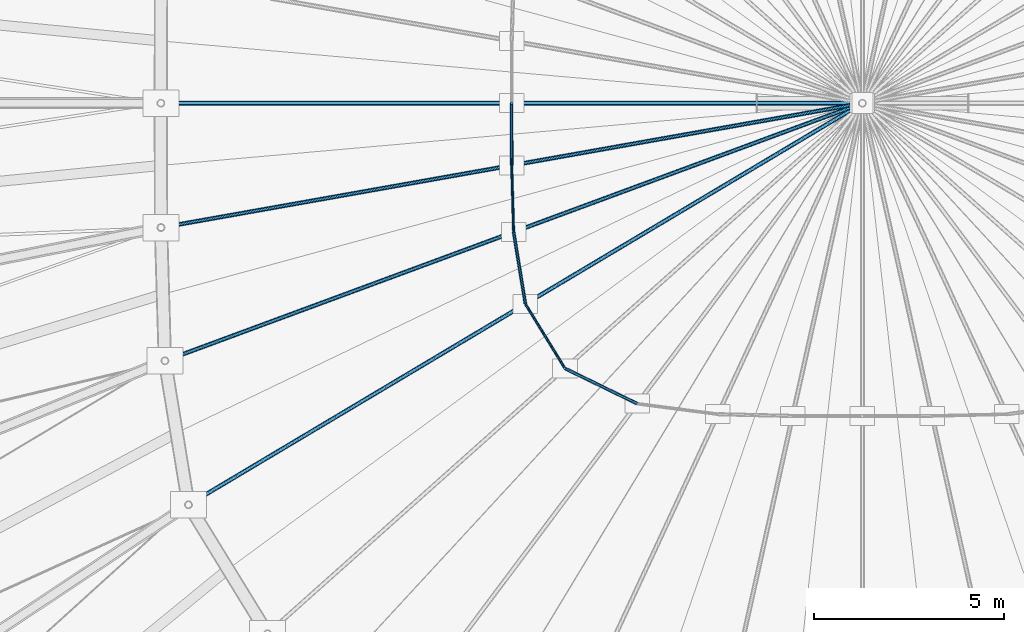
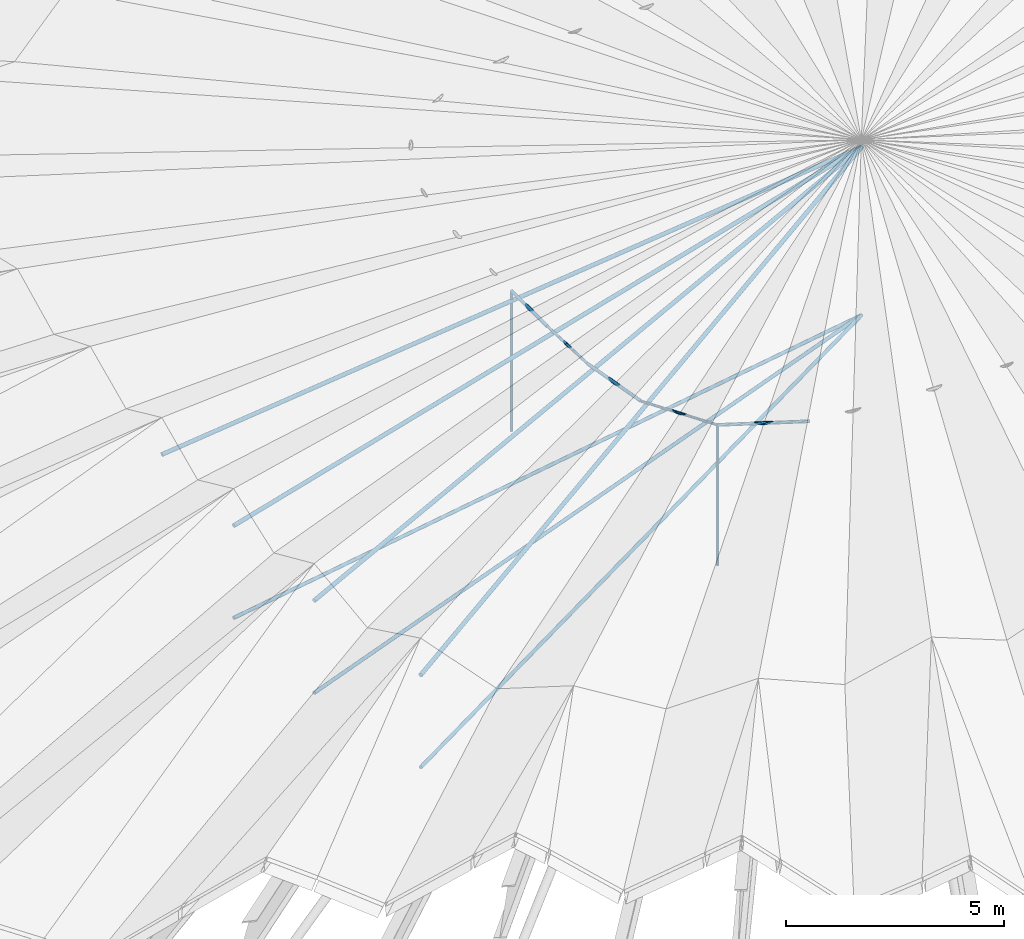
# One storey, part 9 of 41: 14 members.
"""IFC4 building model written with IfcOpenShell, lengths in metres."""

from ifc_helpers import new_model, si_unit, direction, frame, origin, origin_2d, place, context, subcontext, project, spatial, circle, extrude, material, material_profile, profile_set, type_object, element, save


model = new_model("IFC4")

# Units and contexts
model_context = context("Model", 3, precision=1e-05, world=origin(), true_north=direction((0.0, 1.0)))
body_context = subcontext(model_context, "Body", "Model", "MODEL_VIEW")
ifc_project = project(units=[si_unit("LENGTHUNIT", "METRE"), si_unit("AREAUNIT", "SQUARE_METRE"), si_unit("VOLUMEUNIT", "CUBIC_METRE"), si_unit("PLANEANGLEUNIT", "RADIAN"), si_unit("MASSUNIT", "GRAM", prefix="KILO")], contexts=[model_context])

# Site, building, storey
site_placement = place(None, origin())
site = spatial("IfcSite", under=ifc_project, at=site_placement, CompositionType="ELEMENT")
building_placement = place(site_placement, origin())
building = spatial("IfcBuilding", under=site, at=building_placement, Name="Luwafu Chhajja Arena", CompositionType="ELEMENT")
storey_placement = place(building_placement, frame((0.0, 0.0, 29.699951171875)))
storey = spatial("IfcBuildingStorey", under=building, at=storey_placement, Name="RF", CompositionType="ELEMENT", Elevation=29.699951171875)

# Members
ifc_material = material(Name="Steel S460", Category="steel")
ifc_material_profile_1 = material_profile(ifc_material, circle(Radius=0.04248046875, at=origin_2d()), Name="CABLE D85")
ifc_profile_set_1 = profile_set([ifc_material_profile_1], Name="Steel S460")
member_type_1 = type_object("IfcMemberType", Name="Oculus Hoop Tie Cable D85", PredefinedType="USERDEFINED", material=ifc_profile_set_1)
member_1_placement = place(storey_placement, frame((89.75, 49.5, 8.02001953125), z_axis=(0.00148809359, -0.999998892788, 0.0), x_axis=(0.999998892788, 0.00148809359, 0.0)))
element("IfcMember", 1, at=member_1_placement, inside=storey, type_object=member_type_1, Name="Cable net hoop cable CBH-17", ObjectType="CABLE", PredefinedType="USERDEFINED", context=body_context, shape_type="SweptSolid", body=[
    extrude(circle(Radius=0.04248046875, at=origin_2d()), origin(), (0.0, 0.0, 1.0), 1.640625),
])
member_2_placement = place(storey_placement, frame((89.8037109375, 46.1025390625, 8.02001953125), z_axis=(0.161598712618, -0.98685655294, 0.0), x_axis=(0.98685655294, 0.161598712618, 0.0)))
element("IfcMember", 2, at=member_2_placement, inside=storey, type_object=member_type_1, Name="Cable net hoop cable CBH-19", ObjectType="CABLE", PredefinedType="USERDEFINED", context=body_context, shape_type="SweptSolid", body=[
    extrude(circle(Radius=0.04248046875, at=origin_2d()), origin(), (0.0, 0.0, 1.0), 1.92333984375),
])
member_3_placement = place(storey_placement, frame((91.1572265625, 42.505126953125, 8.02001953125), z_axis=(0.89864668968, -0.438673143841, 0.0), x_axis=(0.438673143841, 0.89864668968, 0.0)))
element("IfcMember", 3, at=member_3_placement, inside=storey, type_object=member_type_1, Name="Cable net hoop cable CBH-21", ObjectType="CABLE", PredefinedType="USERDEFINED", context=body_context, shape_type="SweptSolid", body=[
    extrude(circle(Radius=0.04248046875, at=origin_2d()), origin(), (0.0, 0.0, 1.0), 2.120361328125),
])
ifc_material_profile_2 = material_profile(ifc_material, circle(Radius=0.054931640625, at=origin_2d()), Name="CABLE D110")
ifc_profile_set_2 = profile_set([ifc_material_profile_2], Name="Steel S460")
member_type_2 = type_object("IfcMemberType", Name="Oculus Radial Main Cable D110", PredefinedType="USERDEFINED", material=ifc_profile_set_2)
member_4_placement = place(storey_placement, frame((80.5, 49.5, 6.679931640625), z_axis=(0.993497295716, 0.0, 0.113855713102), x_axis=(0.0, 1.0, 0.0)))
element("IfcMember", 4, at=member_4_placement, inside=storey, type_object=member_type_2, Name="Cable net main cable CBM-17", ObjectType="CABLE", PredefinedType="USERDEFINED", context=body_context, shape_type="SweptSolid", body=[
    extrude(circle(Radius=0.054931640625, at=origin_2d()), origin(), (0.0, 0.0, 1.0), 18.62109375),
])
member_5_placement = place(storey_placement, frame((80.5048828125, 46.21875, 6.679931640625), z_axis=(0.978412125262, 0.173581748819, 0.11215654068), x_axis=(-0.174683908095, 0.984624564112, 0.0)))
element("IfcMember", 5, at=member_5_placement, inside=storey, type_object=member_type_2, Name="Cable net main cable CBM-18", ObjectType="CABLE", PredefinedType="USERDEFINED", context=body_context, shape_type="SweptSolid", body=[
    extrude(circle(Radius=0.054931640625, at=origin_2d()), origin(), (0.0, 0.0, 1.0), 18.903076171875),
])
member_6_placement = place(storey_placement, frame((80.607177734375, 42.705078125, 6.679931640625), z_axis=(0.932598933948, 0.344533144798, 0.107499490853), x_axis=(-0.346541303298, 0.938034714234, 0.0)))
element("IfcMember", 6, at=member_6_placement, inside=storey, type_object=member_type_2, Name="Cable net main cable CBM-19", ObjectType="CABLE", PredefinedType="USERDEFINED", context=body_context, shape_type="SweptSolid", body=[
    extrude(circle(Radius=0.054931640625, at=origin_2d()), origin(), (0.0, 0.0, 1.0), 19.72216796875),
])
member_7_placement = place(storey_placement, frame((81.228759765625, 38.909423828125, 6.679931640625), z_axis=(0.854552305173, 0.509261096098, 0.101948485639), x_axis=(-0.511928407215, 0.859028117052, 0.0)))
element("IfcMember", 7, at=member_7_placement, inside=storey, type_object=member_type_2, Name="Cable net main cable CBM-20", ObjectType="CABLE", PredefinedType="USERDEFINED", context=body_context, shape_type="SweptSolid", body=[
    extrude(circle(Radius=0.054931640625, at=origin_2d()), origin(), (0.0, 0.0, 1.0), 20.7958984375),
])
ifc_material_profile_3 = material_profile(ifc_material, circle(Radius=0.047607421875, at=origin_2d()), Name="CABLE D95")
ifc_profile_set_3 = profile_set([ifc_material_profile_3], Name="Steel S460")
member_type_3 = type_object("IfcMemberType", Name="Oculus Radial Stabilizing Cable D95", PredefinedType="USERDEFINED", material=ifc_profile_set_3)
member_8_placement = place(storey_placement, frame((80.5048828125, 46.21875, 4.10009765625), z_axis=(0.984624564112, 0.174683908095, 0.0), x_axis=(-0.174683908095, 0.984624564112, 0.0)))
element("IfcMember", 8, at=member_8_placement, inside=storey, type_object=member_type_3, Name="Cable net radial split stabilizing cable CBS-18", ObjectType="CABLE", PredefinedType="USERDEFINED", context=body_context, shape_type="SweptSolid", body=[
    extrude(circle(Radius=0.047607421875, at=origin_2d()), origin(), (0.0, 0.0, 1.0), 18.783935546875),
])
member_9_placement = place(storey_placement, frame((80.607177734375, 42.705078125, 4.10009765625), z_axis=(0.938034714234, 0.346541303298, 0.0), x_axis=(-0.346541303298, 0.938034714234, 0.0)))
element("IfcMember", 9, at=member_9_placement, inside=storey, type_object=member_type_3, Name="Cable net radial split stabilizing cable CBS-19", ObjectType="CABLE", PredefinedType="USERDEFINED", context=body_context, shape_type="SweptSolid", body=[
    extrude(circle(Radius=0.047607421875, at=origin_2d()), origin(), (0.0, 0.0, 1.0), 19.60791015625),
])
member_10_placement = place(storey_placement, frame((81.228759765625, 38.909423828125, 4.10009765625), z_axis=(0.859028117052, 0.511928407215, 0.0), x_axis=(-0.511928407215, 0.859028117052, 0.0)))
element("IfcMember", 10, at=member_10_placement, inside=storey, type_object=member_type_3, Name="Cable net radial split stabilizing cable CBS-20", ObjectType="CABLE", PredefinedType="USERDEFINED", context=body_context, shape_type="SweptSolid", body=[
    extrude(circle(Radius=0.047607421875, at=origin_2d()), origin(), (0.0, 0.0, 1.0), 20.6875),
])
ifc_material_profile_4 = material_profile(ifc_material, circle(Radius=0.034912109375, at=origin_2d()), Name="CABLE D70")
ifc_profile_set_4 = profile_set([ifc_material_profile_4], Name="Steel S460")
member_type_4 = type_object("IfcMemberType", Name="Oculus Secondary Tie Cable D70", PredefinedType="USERDEFINED", material=ifc_profile_set_4)
member_11_placement = place(storey_placement, frame((89.75, 49.5, 4.10009765625), z_axis=(0.0, 0.0, 1.0), x_axis=(1.0, 0.0, 0.0)))
element("IfcMember", 11, at=member_11_placement, inside=storey, type_object=member_type_4, Name="Cable net vertical hanger tie CBT-05", ObjectType="CABLE", PredefinedType="USERDEFINED", context=body_context, shape_type="SweptSolid", body=[
    extrude(circle(Radius=0.034912109375, at=origin_2d()), origin(), (0.0, 0.0, 1.0), 3.919921875),
])
member_12_placement = place(storey_placement, frame((89.75244140625, 47.859375, 8.02001953125), z_axis=(0.029170460649, -0.999574451567, 0.0), x_axis=(0.999574451567, 0.029170460649, 0.0)))
element("IfcMember", 12, at=member_12_placement, inside=storey, type_object=member_type_4, Name="Cable net hoop cable CBH-18", ObjectType="CABLE", PredefinedType="USERDEFINED", context=body_context, shape_type="SweptSolid", body=[
    extrude(circle(Radius=0.034912109375, at=origin_2d()), origin(), (0.0, 0.0, 1.0), 1.757568359375),
])
member_13_placement = place(storey_placement, frame((90.114501953125, 44.20458984375, 8.02001953125), z_axis=(0.522969721503, -0.852351259981, 0.0), x_axis=(0.852351259981, 0.522969721503, 0.0)))
element("IfcMember", 13, at=member_13_placement, inside=storey, type_object=member_type_4, Name="Cable net hoop cable CBH-20", ObjectType="CABLE", PredefinedType="USERDEFINED", context=body_context, shape_type="SweptSolid", body=[
    extrude(circle(Radius=0.034912109375, at=origin_2d()), origin(), (0.0, 0.0, 1.0), 1.993896484375),
])
member_14_placement = place(storey_placement, frame((91.1572265625, 42.505126953125, 4.10009765625), z_axis=(0.0, 0.0, 1.0), x_axis=(1.0, 0.0, 0.0)))
element("IfcMember", 14, at=member_14_placement, inside=storey, type_object=member_type_4, Name="Cable net vertical hanger tie CBT-06", ObjectType="CABLE", PredefinedType="USERDEFINED", context=body_context, shape_type="SweptSolid", body=[
    extrude(circle(Radius=0.034912109375, at=origin_2d()), origin(), (0.0, 0.0, 1.0), 3.919921875),
])

save(model, "model.ifc")
